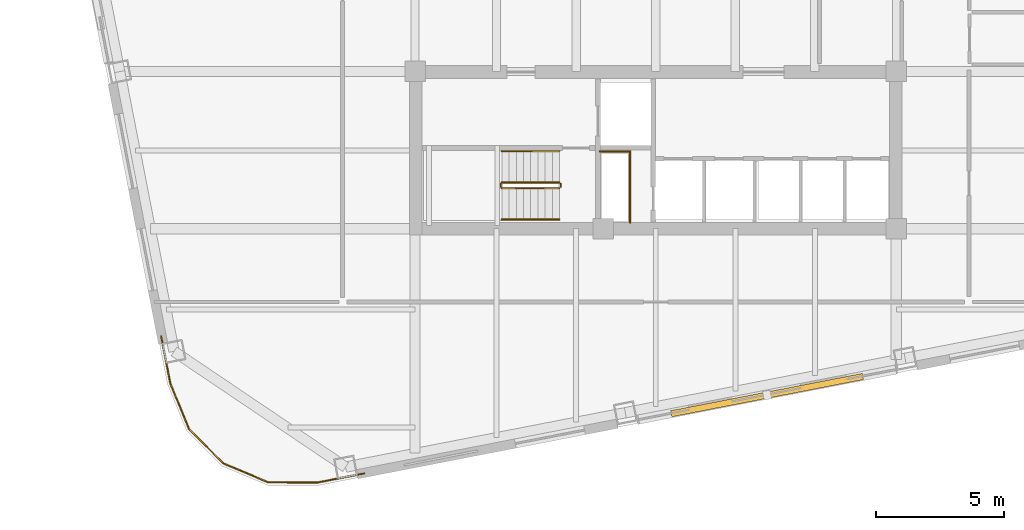
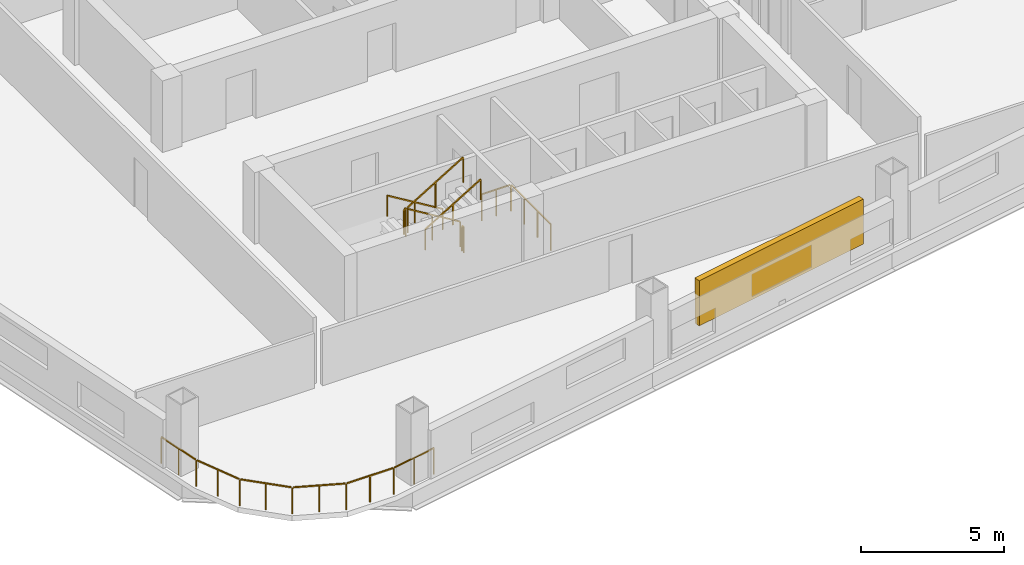
# One storey, part 6 of 8: 8 railings, 1 shading device.
"""IFC4 building model written with IfcOpenShell, lengths in metres."""

from ifc_helpers import new_model, si_unit, direction, frame, origin, origin_2d, place, context, subcontext, project, spatial, rectangle, extrude, material, type_object, element, save


model = new_model("IFC4")

# Units and contexts
model_context = context("Model", 3, precision=1e-05, world=origin(), true_north=direction((0.0, 1.0)))
body_context = subcontext(model_context, "Body", "Model", "MODEL_VIEW")
ifc_project = project(units=[si_unit("LENGTHUNIT", "METRE"), si_unit("AREAUNIT", "SQUARE_METRE"), si_unit("VOLUMEUNIT", "CUBIC_METRE"), si_unit("PLANEANGLEUNIT", "RADIAN"), si_unit("MASSUNIT", "GRAM", prefix="KILO")], contexts=[model_context])

# Site, building, storey
site_placement = place(None, origin())
site = spatial("IfcSite", under=ifc_project, at=site_placement, CompositionType="ELEMENT")
building_placement = place(site_placement, origin())
building = spatial("IfcBuilding", under=site, at=building_placement, Name="Qhalaya Broadcast Tower", CompositionType="ELEMENT")
storey_placement = place(building_placement, frame((0.0, 0.0, 115.85009765625)))
storey = spatial("IfcBuildingStorey", under=building, at=storey_placement, Name="L33", CompositionType="ELEMENT", Elevation=115.85009765625)

# Railings
ifc_material_1 = material(Name="Powder-Coated Galvanised Steel", Category="steel")
railing_type_1 = type_object("IfcRailingType", Name="Stair Wall Handrail 900", PredefinedType="HANDRAIL", material=ifc_material_1)
railing_1_placement = place(storey_placement, frame((-3.75, -5.72998046875, 0.16943359375)))
element("IfcRailing", 1, at=railing_1_placement, inside=storey, type_object=railing_type_1, Name="L33 ST-2 Stair Handrail 1", PredefinedType="HANDRAIL", context=body_context, shape_type="SweptSolid", body=[
    extrude(rectangle(XDim=0.048095703125, YDim=0.048095703125, at=origin_2d()), frame((0.0, 0.0, 0.8759765625), z_axis=(-0.855553338991, 0.0, 0.51771467445), x_axis=(0.0, -1.0, 0.0)), (0.0, 0.0, 1.0), 2.6181640625),
    extrude(rectangle(XDim=0.0419921875, YDim=0.0419921875, at=origin_2d()), origin(), (0.0, 0.0, 1.0), 0.849853515625),
    extrude(rectangle(XDim=0.0419921875, YDim=0.0419921875, at=origin_2d()), frame((-1.1201171875, 0.0, 0.677734375)), (0.0, 0.0, 1.0), 0.849853515625),
    extrude(rectangle(XDim=0.0419921875, YDim=0.0419921875, at=origin_2d()), frame((-2.239990234375, 0.0, 1.35546875)), (0.0, 0.0, 1.0), 0.849853515625),
])
railing_2_placement = place(storey_placement, frame((-5.989990234375, -8.389892578125, 1.6943359375)))
element("IfcRailing", 2, at=railing_2_placement, inside=storey, type_object=railing_type_1, Name="L33 ST-2 Stair Handrail 2", PredefinedType="HANDRAIL", context=body_context, shape_type="SweptSolid", body=[
    extrude(rectangle(XDim=0.048095703125, YDim=0.048095703125, at=origin_2d()), frame((0.0, 0.0, 0.8759765625), z_axis=(0.855553338991, 0.0, 0.51771467445), x_axis=(0.0, 1.0, 0.0)), (0.0, 0.0, 1.0), 2.6181640625),
    extrude(rectangle(XDim=0.0419921875, YDim=0.0419921875, at=origin_2d()), origin(), (0.0, 0.0, 1.0), 0.849853515625),
    extrude(rectangle(XDim=0.0419921875, YDim=0.0419921875, at=origin_2d()), frame((1.1201171875, 0.0, 0.677734375)), (0.0, 0.0, 1.0), 0.849853515625),
    extrude(rectangle(XDim=0.0419921875, YDim=0.0419921875, at=origin_2d()), frame((2.239990234375, 0.0, 1.35546875)), (0.0, 0.0, 1.0), 0.849853515625),
])
railing_type_2 = type_object("IfcRailingType", Name="Stair Well & Landing Guardrail 1100", PredefinedType="GUARDRAIL", material=ifc_material_1)
railing_3_placement = place(storey_placement, frame((-1.0, -8.52001953125, 0.0)))
element("IfcRailing", 3, at=railing_3_placement, inside=storey, type_object=railing_type_2, Name="L33 Service Riser Opening Safety Guard SRSR", PredefinedType="GUARDRAIL", context=body_context, shape_type="SweptSolid", body=[
    extrude(rectangle(XDim=0.048095703125, YDim=0.048095703125, at=origin_2d()), frame((0.0, 0.0, 1.1259765625), z_axis=(0.0, 1.0, 0.0), x_axis=(-1.0, 0.0, 0.0)), (0.0, 0.0, 1.0), 2.751220703125),
    extrude(rectangle(XDim=0.048095703125, YDim=0.048095703125, at=origin_2d()), frame((-0.02880859375, 2.780029296875, 1.1259765625), z_axis=(-1.0, 0.0, 0.0), x_axis=(0.0, -1.0, 0.0)), (0.0, 0.0, 1.0), 1.151123046875),
    extrude(rectangle(XDim=0.0419921875, YDim=0.0419921875, at=origin_2d()), origin(), (0.0, 0.0, 1.0), 1.099853515625),
    extrude(rectangle(XDim=0.0419921875, YDim=0.0419921875, at=origin_2d()), frame((0.0, 0.9267578125, 0.0)), (0.0, 0.0, 1.0), 1.099853515625),
    extrude(rectangle(XDim=0.0419921875, YDim=0.0419921875, at=origin_2d()), frame((0.0, 1.853271484375, 0.0)), (0.0, 0.0, 1.0), 1.099853515625),
    extrude(rectangle(XDim=0.0419921875, YDim=0.0419921875, at=origin_2d()), frame((0.0, 2.780029296875, 0.0)), (0.0, 0.0, 1.0), 1.099853515625),
    extrude(rectangle(XDim=0.0419921875, YDim=0.0419921875, at=origin_2d()), frame((-0.58984375, 2.780029296875, 0.0)), (0.0, 0.0, 1.0), 1.099853515625),
    extrude(rectangle(XDim=0.0419921875, YDim=0.0419921875, at=origin_2d()), frame((-1.179931640625, 2.780029296875, 0.0)), (0.0, 0.0, 1.0), 1.099853515625),
])
railing_4_placement = place(storey_placement, frame((-3.75, -6.949951171875, 0.16943359375)))
element("IfcRailing", 4, at=railing_4_placement, inside=storey, type_object=railing_type_2, Name="L33 ST-2 Stair Guard 1", PredefinedType="GUARDRAIL", context=body_context, shape_type="SweptSolid", body=[
    extrude(rectangle(XDim=0.048095703125, YDim=0.048095703125, at=origin_2d()), frame((0.0, 0.0, 1.076171875), z_axis=(-0.855553338991, 0.0, 0.51771467445), x_axis=(0.0, -1.0, 0.0)), (0.0, 0.0, 1.0), 2.6181640625),
    extrude(rectangle(XDim=0.0419921875, YDim=0.0419921875, at=origin_2d()), origin(), (0.0, 0.0, 1.0), 1.050048828125),
    extrude(rectangle(XDim=0.0419921875, YDim=0.0419921875, at=origin_2d()), frame((-1.1201171875, 0.0, 0.677734375)), (0.0, 0.0, 1.0), 1.050048828125),
    extrude(rectangle(XDim=0.0419921875, YDim=0.0419921875, at=origin_2d()), frame((-2.239990234375, 0.0, 1.35546875)), (0.0, 0.0, 1.0), 1.050048828125),
])
railing_5_placement = place(storey_placement, frame((-6.0400390625, -7.0, 1.52490234375)))
element("IfcRailing", 5, at=railing_5_placement, inside=storey, type_object=railing_type_2, Name="L33 ST-2 Stair Guard 2", PredefinedType="GUARDRAIL", context=body_context, shape_type="SweptSolid", body=[
    extrude(rectangle(XDim=0.048095703125, YDim=0.048095703125, at=origin_2d()), frame((0.0, 0.0, 1.076171875), z_axis=(0.0, -1.0, 0.0), x_axis=(1.0, 0.0, 0.0)), (0.0, 0.0, 1.0), 0.1201171875),
    extrude(rectangle(XDim=0.0419921875, YDim=0.0419921875, at=origin_2d()), origin(), (0.0, 0.0, 1.0), 1.050048828125),
    extrude(rectangle(XDim=0.0419921875, YDim=0.0419921875, at=origin_2d()), frame((0.0, -0.1201171875, 0.0)), (0.0, 0.0, 1.0), 1.050048828125),
])
railing_6_placement = place(storey_placement, frame((-5.989990234375, -7.169921875, 1.6943359375)))
element("IfcRailing", 6, at=railing_6_placement, inside=storey, type_object=railing_type_2, Name="L33 ST-2 Stair Guard 3", PredefinedType="GUARDRAIL", context=body_context, shape_type="SweptSolid", body=[
    extrude(rectangle(XDim=0.048095703125, YDim=0.048095703125, at=origin_2d()), frame((0.0, 0.0, 1.076171875), z_axis=(0.855553338991, 0.0, 0.51771467445), x_axis=(0.0, 1.0, 0.0)), (0.0, 0.0, 1.0), 2.6181640625),
    extrude(rectangle(XDim=0.0419921875, YDim=0.0419921875, at=origin_2d()), origin(), (0.0, 0.0, 1.0), 1.050048828125),
    extrude(rectangle(XDim=0.0419921875, YDim=0.0419921875, at=origin_2d()), frame((1.1201171875, 0.0, 0.677734375)), (0.0, 0.0, 1.0), 1.050048828125),
    extrude(rectangle(XDim=0.0419921875, YDim=0.0419921875, at=origin_2d()), frame((2.239990234375, 0.0, 1.35546875)), (0.0, 0.0, 1.0), 1.050048828125),
])
railing_7_placement = place(storey_placement, frame((-3.699951171875, -7.0, 0.0)))
element("IfcRailing", 7, at=railing_7_placement, inside=storey, type_object=railing_type_2, Name="L33 ST-2 Stair Guard 4", PredefinedType="GUARDRAIL", context=body_context, shape_type="SweptSolid", body=[
    extrude(rectangle(XDim=0.048095703125, YDim=0.048095703125, at=origin_2d()), frame((0.0, 0.0, 1.076171875), z_axis=(0.0, -1.0, 0.0), x_axis=(1.0, 0.0, 0.0)), (0.0, 0.0, 1.0), 0.1201171875),
    extrude(rectangle(XDim=0.0419921875, YDim=0.0419921875, at=origin_2d()), origin(), (0.0, 0.0, 1.0), 1.050048828125),
    extrude(rectangle(XDim=0.0419921875, YDim=0.0419921875, at=origin_2d()), frame((0.0, -0.1201171875, 0.0)), (0.0, 0.0, 1.0), 1.050048828125),
])
railing_type_3 = type_object("IfcRailingType", Name="Terrace, Sky-Pool & Lookout Glass Balustrade 1150", PredefinedType="BALUSTRADE", material=ifc_material_1)
railing_8_placement = place(storey_placement, frame((-11.351318359375, -18.281982421875, 0.0)))
element("IfcRailing", 8, at=railing_8_placement, inside=storey, type_object=railing_type_3, Name="L33 Rounded Corner Perimeter Guard 02", PredefinedType="BALUSTRADE", context=body_context, shape_type="SweptSolid", body=[
    extrude(rectangle(XDim=0.048095703125, YDim=0.048095703125, at=origin_2d()), frame((0.0, 0.0, 1.1259765625), z_axis=(-0.981643446311, -0.190725311155, 0.0), x_axis=(0.190725311155, -0.981643446311, 0.0)), (0.0, 0.0, 1.0), 1.8271484375),
    extrude(rectangle(XDim=0.048095703125, YDim=0.048095703125, at=origin_2d()), frame((-1.850830078125, -0.353759765625, 1.1259765625), z_axis=(-0.999990606087, 0.004334482484, 0.0), x_axis=(-0.004334482484, -0.999990606087, 0.0)), (0.0, 0.0, 1.0), 1.857421875),
    extrude(rectangle(XDim=0.048095703125, YDim=0.048095703125, at=origin_2d()), frame((-3.763671875, -0.33447265625, 1.1259765625), z_axis=(-0.922247496545, 0.386599993684, 0.0), x_axis=(-0.386599993684, -0.922247496545, 0.0)), (0.0, 0.0, 1.0), 1.845703125),
    extrude(rectangle(XDim=0.048095703125, YDim=0.048095703125, at=origin_2d()), frame((-5.5126953125, 0.41064453125, 1.1259765625), z_axis=(-0.704021268228, 0.710178888649, 0.0), x_axis=(-0.710178888649, -0.704021268228, 0.0)), (0.0, 0.0, 1.0), 1.845458984375),
    extrude(rectangle(XDim=0.048095703125, YDim=0.048095703125, at=origin_2d()), frame((-6.84326171875, 1.768310546875, 1.1259765625), z_axis=(-0.378588174109, 0.925565229698, 0.0), x_axis=(-0.925565229698, -0.378588174109, 0.0)), (0.0, 0.0, 1.0), 1.857666015625),
    extrude(rectangle(XDim=0.048095703125, YDim=0.048095703125, at=origin_2d()), frame((-7.56298828125, 3.542724609375, 1.1259765625), z_axis=(-0.190725311155, 0.981643446311, 0.0), x_axis=(-0.981643446311, -0.190725311155, 0.0)), (0.0, 0.0, 1.0), 1.8271484375),
    extrude(rectangle(XDim=0.0419921875, YDim=0.0419921875, at=origin_2d()), origin(), (0.0, 0.0, 1.0), 1.099853515625),
    extrude(rectangle(XDim=0.0419921875, YDim=0.0419921875, at=origin_2d()), frame((-0.9111328125, -0.177001953125, 0.0)), (0.0, 0.0, 1.0), 1.099853515625),
    extrude(rectangle(XDim=0.0419921875, YDim=0.0419921875, at=origin_2d()), frame((-1.822021484375, -0.35400390625, 0.0)), (0.0, 0.0, 1.0), 1.099853515625),
    extrude(rectangle(XDim=0.0419921875, YDim=0.0419921875, at=origin_2d()), frame((-2.779541015625, -0.349853515625, 0.0)), (0.0, 0.0, 1.0), 1.099853515625),
    extrude(rectangle(XDim=0.0419921875, YDim=0.0419921875, at=origin_2d()), frame((-3.737060546875, -0.345703125, 0.0)), (0.0, 0.0, 1.0), 1.099853515625),
    extrude(rectangle(XDim=0.0419921875, YDim=0.0419921875, at=origin_2d()), frame((-4.61474609375, 0.022216796875, 0.0)), (0.0, 0.0, 1.0), 1.099853515625),
    extrude(rectangle(XDim=0.0419921875, YDim=0.0419921875, at=origin_2d()), frame((-5.492431640625, 0.39013671875, 0.0)), (0.0, 0.0, 1.0), 1.099853515625),
    extrude(rectangle(XDim=0.0419921875, YDim=0.0419921875, at=origin_2d()), frame((-6.162353515625, 1.06591796875, 0.0)), (0.0, 0.0, 1.0), 1.099853515625),
    extrude(rectangle(XDim=0.0419921875, YDim=0.0419921875, at=origin_2d()), frame((-6.832275390625, 1.74169921875, 0.0)), (0.0, 0.0, 1.0), 1.099853515625),
    extrude(rectangle(XDim=0.0419921875, YDim=0.0419921875, at=origin_2d()), frame((-7.19482421875, 2.6279296875, 0.0)), (0.0, 0.0, 1.0), 1.099853515625),
    extrude(rectangle(XDim=0.0419921875, YDim=0.0419921875, at=origin_2d()), frame((-7.557373046875, 3.514404296875, 0.0)), (0.0, 0.0, 1.0), 1.099853515625),
    extrude(rectangle(XDim=0.0419921875, YDim=0.0419921875, at=origin_2d()), frame((-7.734375, 4.42529296875, 0.0)), (0.0, 0.0, 1.0), 1.099853515625),
    extrude(rectangle(XDim=0.0419921875, YDim=0.0419921875, at=origin_2d()), frame((-7.911376953125, 5.33642578125, 0.0)), (0.0, 0.0, 1.0), 1.099853515625),
])

# Shading device
ifc_material_2 = material(Name="Fired Architectural Terracotta", Category="masonry")
shading_device_type = type_object("IfcShadingDeviceType", Name="Terracotta Baguette Solar Screen Assembly TBS-01", PredefinedType="USERDEFINED", material=ifc_material_2)
shading_device_placement = place(storey_placement, frame((4.337158203125, -15.232421875, 0.79248046875), z_axis=(0.0, 0.0, 1.0), x_axis=(0.981627183448, 0.190808995377, 0.0)))
element("IfcShadingDevice", 9, at=shading_device_placement, inside=storey, type_object=shading_device_type, Name="L33 Fired Terracotta Baguette Screen S", ObjectType="BAGUETTE", PredefinedType="USERDEFINED", context=body_context, shape_type="SweptSolid", body=[
    extrude(rectangle(XDim=7.60009765625, YDim=0.239990234375, at=origin_2d()), origin(), (0.0, 0.0, 1.0), 1.924072265625),
])

save(model, "model.ifc")
